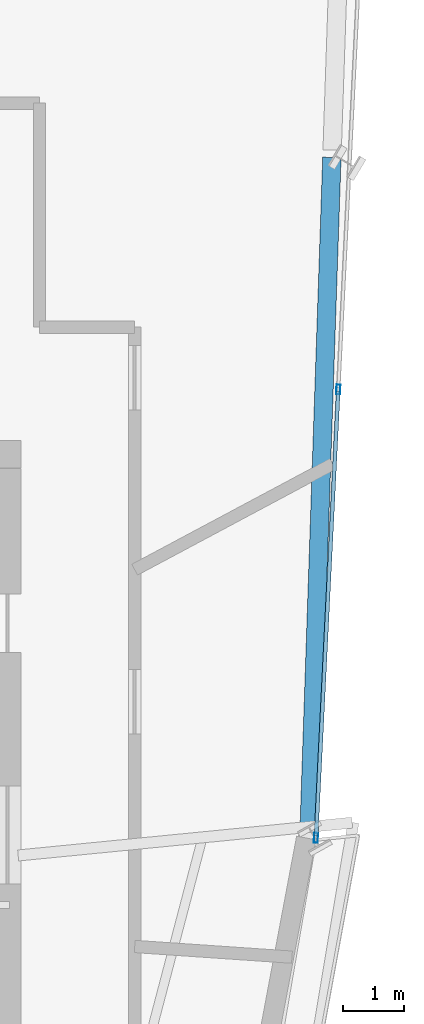
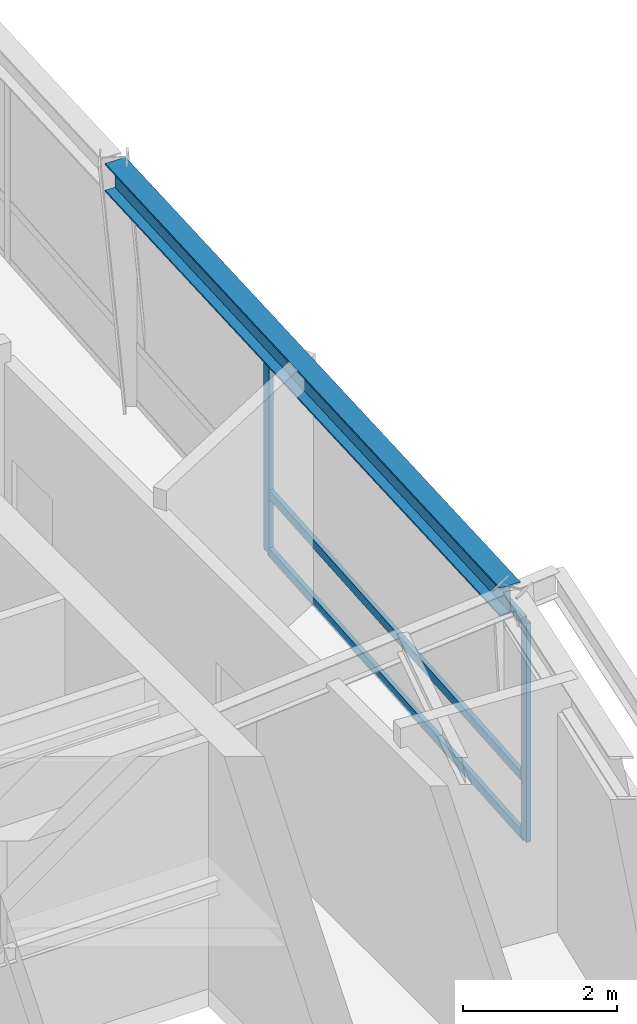
# One storey, part 9 of 21: 5 members, 1 beam, 1 element without a shape of its own.
"""IFC4 building model written with IfcOpenShell, lengths in metres."""

from ifc_helpers import new_model, si_unit, direction, frame, origin, origin_2d, place, context, subcontext, project, spatial, hollow_rectangle, i_section, extrude, source, transform, mapped, material, material_profile, profile_set, type_object, element, aggregate, save


model = new_model("IFC4")

# Units and contexts
model_context = context("Model", 3, precision=1e-05, world=origin(), true_north=direction((0.0, 1.0)))
body_context = subcontext(model_context, "Body", "Model", "MODEL_VIEW")
ifc_project = project(units=[si_unit("LENGTHUNIT", "METRE"), si_unit("AREAUNIT", "SQUARE_METRE"), si_unit("VOLUMEUNIT", "CUBIC_METRE"), si_unit("PLANEANGLEUNIT", "RADIAN"), si_unit("MASSUNIT", "GRAM", prefix="KILO")], contexts=[model_context])

# Site, building, storey
site_placement = place(None, origin())
site = spatial("IfcSite", under=ifc_project, at=site_placement, CompositionType="ELEMENT")
building_placement = place(site_placement, origin())
building = spatial("IfcBuilding", under=site, at=building_placement, Name="Olszyna Solenne Hotel", CompositionType="ELEMENT")
storey_placement = place(building_placement, frame((0.0, 0.0, 277.699951171875)))
storey = spatial("IfcBuildingStorey", under=building, at=storey_placement, Name="L74", CompositionType="ELEMENT", Elevation=277.699951171875)

# Beam
ifc_material_1 = material(Name="Steel S355J2", Category="steel")
ifc_material_profile_1 = material_profile(ifc_material_1, i_section(OverallWidth=0.300048828125, OverallDepth=0.449951171875, WebThickness=0.013916015625, FlangeThickness=0.02587890625, at=origin_2d()), Name="HEB 450", Category="load-bearing")
ifc_profile_set_1 = profile_set([ifc_material_profile_1], Name="Steel S355J2")
beam_type = type_object("IfcBeamType", Name="BM-S4", PredefinedType="BEAM", material=ifc_profile_set_1)
shared_shape_1 = source(origin(), body_context, "Body", "SweptSolid", [
    extrude(i_section(OverallWidth=0.300048828125, OverallDepth=0.449951171875, WebThickness=0.013916015625, FlangeThickness=0.02587890625, at=origin_2d()), origin(), (0.0, 0.0, 1.0), 10.87451171875),
])
beam_placement = place(storey_placement, frame((51.04638671875, 27.89794921875, 3.695068359375), z_axis=(0.033833615136, 0.999427479353, 0.0), x_axis=(-0.999427479353, 0.033833615136, 0.0)))
element("IfcBeam", 1, at=beam_placement, inside=storey, type_object=beam_type, Name="Perimeter spandrel beam BM-S4 B-L74-2178", PredefinedType="BEAM", context=body_context, shape_type="MappedRepresentation", body=[
    mapped(shared_shape_1, transform((0.0, 0.0, 0.0), x_axis=(1.0, 0.0, 0.0), y_axis=(0.0, 1.0, 0.0), z_axis=(0.0, 0.0, 1.0), scale=1.0)),
])

# Curtain wall, members
ifc_material_2 = material(Name="Anodised bronze aluminium", Category="aluminium")
curtain_wall_type = type_object("IfcCurtainWallType", Name="CW-SYS-7", PredefinedType="NOTDEFINED", material=ifc_material_2)
curtain_wall_placement = place(storey_placement, origin())
curtain_wall = element("IfcCurtainWall", 2, at=curtain_wall_placement, inside=storey, type_object=curtain_wall_type, Name="Unitised curtain wall CW-SYS-7 CW-L74-03", PredefinedType="NOTDEFINED")
ifc_material_profile_2 = material_profile(ifc_material_2, hollow_rectangle(XDim=0.06494140625, YDim=0.159912109375, WallThickness=0.00390625, at=origin_2d()), Name="MULL 160x65x4", Category="load-bearing")
ifc_profile_set_2 = profile_set([ifc_material_profile_2], Name="Anodised bronze aluminium")
member_type_1 = type_object("IfcMemberType", Name="CW-M3", PredefinedType="MULLION", material=ifc_profile_set_2)
shared_shape_2 = source(origin(), body_context, "Body", "SweptSolid", [
    extrude(hollow_rectangle(XDim=0.06494140625, YDim=0.159912109375, WallThickness=0.00390625, at=origin_2d()), origin(), (0.0, 0.0, 1.0), 3.462158203125),
])
member_1_placement = place(storey_placement, frame((51.1552734375, 27.6748046875, 0.0), z_axis=(0.0, 0.0, 1.0), x_axis=(-0.998762731695, 0.049729325113, 0.0)))
member_1 = element("IfcMember", 3, at=member_1_placement, type_object=member_type_1, Name="Curtain-wall mullion CW-M3 CM-L74-03-01", PredefinedType="MULLION", context=body_context, shape_type="MappedRepresentation", body=[
    mapped(shared_shape_2, transform((0.0, 0.0, 0.0), x_axis=(1.0, 0.0, 0.0), y_axis=(0.0, 1.0, 0.0), z_axis=(0.0, 0.0, 1.0), scale=1.0)),
])
member_2_placement = place(storey_placement, frame((51.519287109375, 34.984375, 0.0), z_axis=(0.0, 0.0, 1.0), x_axis=(-0.998762731695, 0.049729325113, 0.0)))
member_2 = element("IfcMember", 4, at=member_2_placement, type_object=member_type_1, Name="Curtain-wall mullion CW-M3 CM-L74-03-02", PredefinedType="MULLION", context=body_context, shape_type="MappedRepresentation", body=[
    mapped(shared_shape_2, transform((0.0, 0.0, 0.0), x_axis=(1.0, 0.0, 0.0), y_axis=(0.0, 1.0, 0.0), z_axis=(0.0, 0.0, 1.0), scale=1.0)),
])
ifc_material_profile_3 = material_profile(ifc_material_2, hollow_rectangle(XDim=0.06494140625, YDim=0.139892578125, WallThickness=0.00390625, at=origin_2d()), Name="TRAN 140x65x4", Category="load-bearing")
ifc_profile_set_3 = profile_set([ifc_material_profile_3], Name="Anodised bronze aluminium")
member_type_2 = type_object("IfcMemberType", Name="CW-T2", PredefinedType="USERDEFINED", material=ifc_profile_set_3)
shared_shape_3 = source(origin(), body_context, "Body", "SweptSolid", [
    extrude(hollow_rectangle(XDim=0.06494140625, YDim=0.139892578125, WallThickness=0.00390625, at=origin_2d()), origin(), (0.0, 0.0, 1.0), 7.253662109375),
])
member_3_placement = place(storey_placement, frame((51.156982421875, 27.707275390625, 0.032470703125), z_axis=(0.049712670328, 0.998763560813, 0.0), x_axis=(-0.998763560813, 0.049712670328, 0.0)))
member_3 = element("IfcMember", 5, at=member_3_placement, type_object=member_type_2, Name="Curtain-wall transom CW-T2 CT-L74-03-01", ObjectType="TRANSOM", PredefinedType="USERDEFINED", context=body_context, shape_type="MappedRepresentation", body=[
    mapped(shared_shape_3, transform((0.0, 0.0, 0.0), x_axis=(1.0, 0.0, 0.0), y_axis=(0.0, 1.0, 0.0), z_axis=(0.0, 0.0, 1.0), scale=1.0)),
])
member_4_placement = place(storey_placement, frame((51.156982421875, 27.707275390625, 0.949951171875), z_axis=(0.049712670328, 0.998763560813, 0.0), x_axis=(-0.998763560813, 0.049712670328, 0.0)))
member_4 = element("IfcMember", 6, at=member_4_placement, type_object=member_type_2, Name="Curtain-wall transom CW-T2 CT-L74-03-02", ObjectType="TRANSOM", PredefinedType="USERDEFINED", context=body_context, shape_type="MappedRepresentation", body=[
    mapped(shared_shape_3, transform((0.0, 0.0, 0.0), x_axis=(1.0, 0.0, 0.0), y_axis=(0.0, 1.0, 0.0), z_axis=(0.0, 0.0, 1.0), scale=1.0)),
])
member_5_placement = place(storey_placement, frame((51.156982421875, 27.707275390625, 3.429443359375), z_axis=(0.049712670328, 0.998763560813, 0.0), x_axis=(-0.998763560813, 0.049712670328, 0.0)))
member_5 = element("IfcMember", 7, at=member_5_placement, type_object=member_type_2, Name="Curtain-wall transom CW-T2 CT-L74-03-03", ObjectType="TRANSOM", PredefinedType="USERDEFINED", context=body_context, shape_type="MappedRepresentation", body=[
    mapped(shared_shape_3, transform((0.0, 0.0, 0.0), x_axis=(1.0, 0.0, 0.0), y_axis=(0.0, 1.0, 0.0), z_axis=(0.0, 0.0, 1.0), scale=1.0)),
])
aggregate(curtain_wall, [member_1, member_2, member_3, member_4, member_5])

save(model, "model.ifc")
